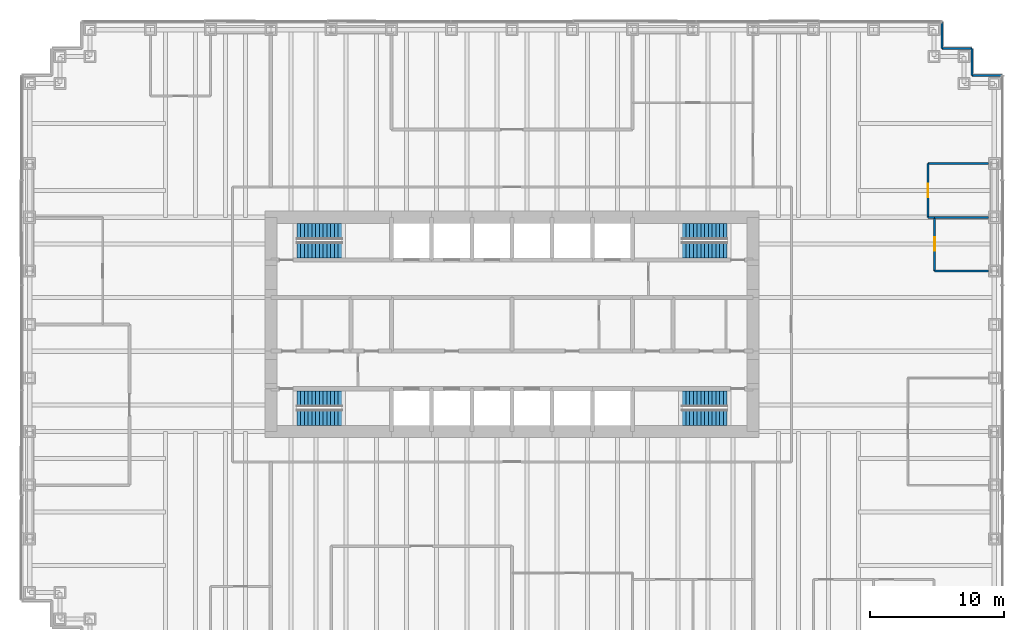
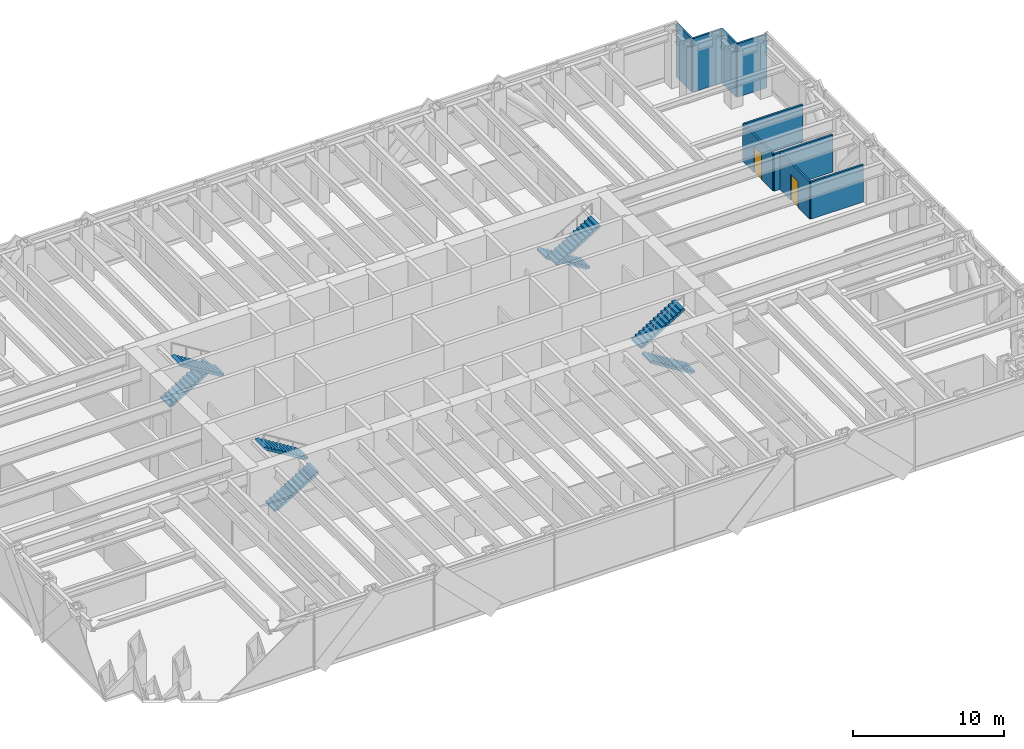
# One storey, part 12 of 13: 10 walls, 8 stair flights, 2 doors, 2 openings, 4 elements without a shape of their own.
"""IFC4 building model written with IfcOpenShell, lengths in metres."""

from ifc_helpers import new_model, si_unit, direction, frame, frame_2d, origin, place, context, subcontext, project, spatial, polyline, rectangle, outline, extrude, material, layer, layer_set, type_object, element, fill, aggregate, save


model = new_model("IFC4")

# Units and contexts
model_context = context("Model", 3, precision=1e-05, world=origin(), true_north=direction((0.0, 1.0)))
body_context = subcontext(model_context, "Body", "Model", "MODEL_VIEW")
ifc_project = project(units=[si_unit("LENGTHUNIT", "METRE"), si_unit("AREAUNIT", "SQUARE_METRE"), si_unit("VOLUMEUNIT", "CUBIC_METRE"), si_unit("PLANEANGLEUNIT", "RADIAN"), si_unit("MASSUNIT", "GRAM", prefix="KILO")], contexts=[model_context])

# Site, building, storey
site_placement = place(None, origin())
site = spatial("IfcSite", under=ifc_project, at=site_placement, CompositionType="ELEMENT")
building_placement = place(site_placement, origin())
building = spatial("IfcBuilding", under=site, at=building_placement, Name="Rheinbord Bourse Tower", CompositionType="ELEMENT")
storey_placement = place(building_placement, frame((0.0, 0.0, 72.5)))
storey = spatial("IfcBuildingStorey", under=building, at=storey_placement, Name="L15", CompositionType="ELEMENT", Elevation=72.5)

# Walls
ifc_material_1 = material(Name="Black metal rainscreen panel", Category="aluminium")
ifc_layer_1 = layer(ifc_material_1, 0.14990234375)
ifc_layer_set_1 = layer_set([ifc_layer_1], Name="CORNER PIER CLADDING 150")
wall_type_1 = type_object("IfcWallType", Name="CORNER PIER CLADDING 150", PredefinedType="ELEMENTEDWALL", material=ifc_layer_set_1)
wall_1_placement = place(storey_placement, frame((72.60009765625, 42.60009765625, 0.0), z_axis=(0.0, 0.0, 1.0), x_axis=(-1.0, 0.0, 0.0)))
element("IfcWall", 1, at=wall_1_placement, inside=storey, type_object=wall_type_1, Name="Corner pier cladding L15 7", PredefinedType="ELEMENTEDWALL", context=body_context, shape_type="SweptSolid", body=[
    extrude(rectangle(XDim=2.25, YDim=0.14990234375, at=frame_2d((1.125, 0.0))), origin(), (0.0, 0.0, 1.0), 4.320068359375),
])
wall_2_placement = place(storey_placement, frame((70.35009765625, 42.60009765625, 0.0), z_axis=(0.0, 0.0, 1.0), x_axis=(0.0, 1.0, 0.0)))
element("IfcWall", 2, at=wall_2_placement, inside=storey, type_object=wall_type_1, Name="Corner pier cladding L15 8", PredefinedType="ELEMENTEDWALL", context=body_context, shape_type="SweptSolid", body=[
    extrude(rectangle(XDim=2.0, YDim=0.14990234375, at=frame_2d((1.0, 0.0))), origin(), (0.0, 0.0, 1.0), 4.320068359375),
])
wall_3_placement = place(storey_placement, frame((70.35009765625, 44.60009765625, 0.0), z_axis=(0.0, 0.0, 1.0), x_axis=(-1.0, 0.0, 0.0)))
element("IfcWall", 3, at=wall_3_placement, inside=storey, type_object=wall_type_1, Name="Corner pier cladding L15 9", PredefinedType="ELEMENTEDWALL", context=body_context, shape_type="SweptSolid", body=[
    extrude(rectangle(XDim=2.25, YDim=0.14990234375, at=frame_2d((1.125, 0.0))), origin(), (0.0, 0.0, 1.0), 4.320068359375),
])
wall_4_placement = place(storey_placement, frame((68.10009765625, 44.60009765625, 0.0), z_axis=(0.0, 0.0, 1.0), x_axis=(0.0, 1.0, 0.0)))
element("IfcWall", 4, at=wall_4_placement, inside=storey, type_object=wall_type_1, Name="Corner pier cladding L15 10", PredefinedType="ELEMENTEDWALL", context=body_context, shape_type="SweptSolid", body=[
    extrude(rectangle(XDim=2.0, YDim=0.14990234375, at=frame_2d((1.0, 0.0))), origin(), (0.0, 0.0, 1.0), 4.320068359375),
])
ifc_material_2 = material(Name="Gypsum board fire partition", Category="gypsum board")
ifc_layer_2 = layer(ifc_material_2, 0.14990234375)
ifc_layer_set_2 = layer_set([ifc_layer_2], Name="FIRE PARTITION 150 EI60")
wall_type_2 = type_object("IfcWallType", Name="FIRE PARTITION 150 EI60", PredefinedType="PARTITIONING", material=ifc_layer_set_2)
for number, where, z_axis, x_axis, name in (
    (5, (67.550048828125, 28.0, 0.0), (0.0, 0.0, 1.0), (1.0, 0.0, 0.0), "Partition L15-12"),
    (6, (67.550048828125, 32.0, 0.0), (0.0, 0.0, 1.0), (1.0, 0.0, 0.0), "Partition L15-15"),
):
    element("IfcWall", number, at=place(storey_placement, frame(where, z_axis=z_axis, x_axis=x_axis)), inside=storey, type_object=wall_type_2, Name=name, PredefinedType="PARTITIONING", context=body_context, shape_type="SweptSolid", body=[
        extrude(rectangle(XDim=4.0, YDim=0.14990234375, at=frame_2d((2.0, 0.0))), origin(), (0.0, 0.0, 1.0), 3.0),
    ])

# Wall, opening, door
wall_5_placement = place(storey_placement, frame((67.550048828125, 28.0, 0.0), z_axis=(0.0, 0.0, 1.0), x_axis=(0.0, 1.0, 0.0)))
wall_5 = element("IfcWall", 7, at=wall_5_placement, inside=storey, type_object=wall_type_2, Name="Partition L15-44", PredefinedType="PARTITIONING", context=body_context, shape_type="SweptSolid", body=[
    extrude(rectangle(XDim=4.0, YDim=0.14990234375, at=frame_2d((2.0, 0.0))), origin(), (0.0, 0.0, 1.0), 3.0),
])
opening_1_placement = place(wall_5_placement, frame((1.5, 0.0, 0.0)))
opening_1 = element("IfcOpeningElement", 8, at=opening_1_placement, cuts=wall_5, Name="Opening 15D11", PredefinedType="OPENING", context=body_context, shape_type="SweptSolid", body=[
    extrude(rectangle(XDim=1.0, YDim=2.10009765625, at=frame_2d((0.5, 1.050048828125))), frame((0.0, 0.0849609375, 0.0), z_axis=(0.0, -1.0, 0.0), x_axis=(1.0, 0.0, 0.0)), (0.0, 0.0, 1.0), 0.169921875),
])
ifc_material_3 = material(Name="Timber fire door", Category="wood")
door_type_1 = type_object("IfcDoorType", Name="FIRE DOOR 1000 EI60", OperationType="SINGLE_SWING_LEFT", PredefinedType="DOOR", material=ifc_material_3)
door_1_placement = place(opening_1_placement, origin())
door_1 = element("IfcDoor", 9, at=door_1_placement, inside=storey, type_object=door_type_1, Name="Comms room door L15", OperationType="SINGLE_SWING_LEFT", OverallHeight=2.10009765625, OverallWidth=1.0, PredefinedType="DOOR", context=body_context, shape_type="SweptSolid", body=[
    extrude(rectangle(XDim=1.0, YDim=2.10009765625, at=frame_2d((0.5, 1.050048828125))), frame((0.0, 0.02490234375, 0.0), z_axis=(0.0, -1.0, 0.0), x_axis=(1.0, 0.0, 0.0)), (0.0, 0.0, 1.0), 0.050048828125),
])
fill(opening_1, door_1)

# Walls
ifc_material_4 = material(Name="Gypsum board partition", Category="gypsum board")
ifc_layer_3 = layer(ifc_material_4, 0.14990234375)
ifc_layer_set_3 = layer_set([ifc_layer_3], Name="PARTITION 150")
wall_type_3 = type_object("IfcWallType", Name="PARTITION 150", PredefinedType="PARTITIONING", material=ifc_layer_set_3)
wall_6_placement = place(storey_placement, frame((67.050048828125, 32.0, 0.0), z_axis=(0.0, 0.0, 1.0), x_axis=(1.0, 0.0, 0.0)))
element("IfcWall", 10, at=wall_6_placement, inside=storey, type_object=wall_type_3, Name="Partition L15-14", PredefinedType="PARTITIONING", context=body_context, shape_type="SweptSolid", body=[
    extrude(rectangle(XDim=0.5, YDim=0.14990234375, at=frame_2d((0.25, 0.0))), origin(), (0.0, 0.0, 1.0), 3.0),
])
wall_7_placement = place(storey_placement, frame((67.050048828125, 36.0, 0.0), z_axis=(0.0, 0.0, 1.0), x_axis=(1.0, 0.0, 0.0)))
element("IfcWall", 11, at=wall_7_placement, inside=storey, type_object=wall_type_3, Name="Partition L15-17", PredefinedType="PARTITIONING", context=body_context, shape_type="SweptSolid", body=[
    extrude(rectangle(XDim=4.5, YDim=0.14990234375, at=frame_2d((2.25, 0.0))), origin(), (0.0, 0.0, 1.0), 3.0),
])

# Wall, opening, door
wall_8_placement = place(storey_placement, frame((67.050048828125, 32.0, 0.0), z_axis=(0.0, 0.0, 1.0), x_axis=(0.0, 1.0, 0.0)))
wall_8 = element("IfcWall", 12, at=wall_8_placement, inside=storey, type_object=wall_type_3, Name="Partition L15-42", PredefinedType="PARTITIONING", context=body_context, shape_type="SweptSolid", body=[
    extrude(rectangle(XDim=4.0, YDim=0.14990234375, at=frame_2d((2.0, 0.0))), origin(), (0.0, 0.0, 1.0), 3.0),
])
opening_2_placement = place(wall_8_placement, frame((1.5, 0.0, 0.0)))
opening_2 = element("IfcOpeningElement", 13, at=opening_2_placement, cuts=wall_8, Name="Opening 15D12", PredefinedType="OPENING", context=body_context, shape_type="SweptSolid", body=[
    extrude(rectangle(XDim=1.0, YDim=2.10009765625, at=frame_2d((0.5, 1.050048828125))), frame((0.0, 0.0849609375, 0.0), z_axis=(0.0, -1.0, 0.0), x_axis=(1.0, 0.0, 0.0)), (0.0, 0.0, 1.0), 0.169921875),
])
ifc_material_5 = material(Name="Timber door", Category="wood")
door_type_2 = type_object("IfcDoorType", Name="ROOM DOOR 1000", OperationType="SINGLE_SWING_LEFT", PredefinedType="DOOR", material=ifc_material_5)
door_2_placement = place(opening_2_placement, origin())
door_2 = element("IfcDoor", 14, at=door_2_placement, inside=storey, type_object=door_type_2, Name="Pantry door L15", OperationType="SINGLE_SWING_LEFT", OverallHeight=2.10009765625, OverallWidth=1.0, PredefinedType="DOOR", context=body_context, shape_type="SweptSolid", body=[
    extrude(rectangle(XDim=1.0, YDim=2.10009765625, at=frame_2d((0.5, 1.050048828125))), frame((0.0, 0.02490234375, 0.0), z_axis=(0.0, -1.0, 0.0), x_axis=(1.0, 0.0, 0.0)), (0.0, 0.0, 1.0), 0.050048828125),
])
fill(opening_2, door_2)

# Stair, stair flights
ifc_material_6 = material(Name="Concrete C30/37", Category="concrete")
stair_type = type_object("IfcStairType", Name="CORE STAIR HALF TURN 4500", PredefinedType="HALF_TURN_STAIR", material=ifc_material_6)
stair_1_placement = place(storey_placement, origin())
stair_1 = element("IfcStair", 15, at=stair_1_placement, inside=storey, type_object=stair_type, Name="Stair ST1 L15, type CS4", PredefinedType="HALF_TURN_STAIR")
ifc_material_7 = material(Name="Concrete C30/37", Category="concrete")
stair_flight_type = type_object("IfcStairFlightType", Name="CORE STAIR FLIGHT 1200, 13 RISERS", PredefinedType="STRAIGHT", material=ifc_material_7)
stair_flight_1_placement = place(storey_placement, frame((19.949951171875, 17.050048828125, 0.0), z_axis=(0.0, 0.0, 1.0), x_axis=(1.0, 0.0, 0.0)))
stair_flight_1 = element("IfcStairFlight", 16, at=stair_flight_1_placement, type_object=stair_flight_type, Name="STAIR L15 ST1 F1", NumberOfRisers=13, NumberOfTreads=12, PredefinedType="STRAIGHT", RiserHeight=0.173076923, TreadLength=0.28, context=body_context, shape_type="SweptSolid", body=[
    extrude(outline(polyline([(0.0, 0.0), (0.0, 0.173095703125), (0.280029296875, 0.173095703125), (0.280029296875, 0.34619140625), (0.56005859375, 0.34619140625), (0.56005859375, 0.519287109375), (0.840087890625, 0.519287109375), (0.840087890625, 0.6923828125), (1.1201171875, 0.6923828125), (1.1201171875, 0.865478515625), (1.39990234375, 0.865478515625), (1.39990234375, 1.03857421875), (1.679931640625, 1.03857421875), (1.679931640625, 1.21142578125), (1.9599609375, 1.21142578125), (1.9599609375, 1.384521484375), (2.239990234375, 1.384521484375), (2.239990234375, 1.5576171875), (2.52001953125, 1.5576171875), (2.52001953125, 1.730712890625), (2.800048828125, 1.730712890625), (2.800048828125, 1.90380859375), (3.080078125, 1.90380859375), (3.080078125, 2.076904296875), (3.360107421875, 2.076904296875), (3.360107421875, 2.25), (3.360107421875, 1.900634765625), (0.28515625, 0.0), (0.0, 0.0)])), frame((0.0, 0.60009765625, 0.0), z_axis=(0.0, -1.0, 0.0), x_axis=(1.0, 0.0, 0.0)), (0.0, 0.0, 1.0), 1.199951171875),
])
stair_flight_2_placement = place(storey_placement, frame((23.31005859375, 18.449951171875, 2.25), z_axis=(0.0, 0.0, 1.0), x_axis=(-1.0, 0.0, 0.0)))
stair_flight_2 = element("IfcStairFlight", 17, at=stair_flight_2_placement, type_object=stair_flight_type, Name="STAIR L15 ST1 F2", NumberOfRisers=13, NumberOfTreads=12, PredefinedType="STRAIGHT", RiserHeight=0.173076923, TreadLength=0.28, context=body_context, shape_type="SweptSolid", body=[
    extrude(outline(polyline([(0.0, 0.0), (0.0, 0.173095703125), (0.280029296875, 0.173095703125), (0.280029296875, 0.34619140625), (0.56005859375, 0.34619140625), (0.56005859375, 0.519287109375), (0.840087890625, 0.519287109375), (0.840087890625, 0.6923828125), (1.1201171875, 0.6923828125), (1.1201171875, 0.865478515625), (1.39990234375, 0.865478515625), (1.39990234375, 1.03857421875), (1.679931640625, 1.03857421875), (1.679931640625, 1.21142578125), (1.9599609375, 1.21142578125), (1.9599609375, 1.384521484375), (2.239990234375, 1.384521484375), (2.239990234375, 1.5576171875), (2.52001953125, 1.5576171875), (2.52001953125, 1.730712890625), (2.800048828125, 1.730712890625), (2.800048828125, 1.90380859375), (3.080078125, 1.90380859375), (3.080078125, 2.076904296875), (3.360107421875, 2.076904296875), (3.360107421875, 2.25), (3.360107421875, 1.900634765625), (0.28515625, 0.0), (0.0, 0.0)])), frame((0.0, 0.60009765625, 0.0), z_axis=(0.0, -1.0, 0.0), x_axis=(1.0, 0.0, 0.0)), (0.0, 0.0, 1.0), 1.199951171875),
])
aggregate(stair_1, [stair_flight_1, stair_flight_2])

stair_2_placement = place(storey_placement, origin())
stair_2 = element("IfcStair", 18, at=stair_2_placement, inside=storey, type_object=stair_type, Name="Stair ST2 L15, type CS4", PredefinedType="HALF_TURN_STAIR")
stair_flight_3_placement = place(storey_placement, frame((19.949951171875, 30.949951171875, 0.0), z_axis=(0.0, 0.0, 1.0), x_axis=(1.0, 0.0, 0.0)))
stair_flight_3 = element("IfcStairFlight", 19, at=stair_flight_3_placement, type_object=stair_flight_type, Name="STAIR L15 ST2 F1", NumberOfRisers=13, NumberOfTreads=12, PredefinedType="STRAIGHT", RiserHeight=0.173076923, TreadLength=0.28, context=body_context, shape_type="SweptSolid", body=[
    extrude(outline(polyline([(0.0, 0.0), (0.0, 0.173095703125), (0.280029296875, 0.173095703125), (0.280029296875, 0.34619140625), (0.56005859375, 0.34619140625), (0.56005859375, 0.519287109375), (0.840087890625, 0.519287109375), (0.840087890625, 0.6923828125), (1.1201171875, 0.6923828125), (1.1201171875, 0.865478515625), (1.39990234375, 0.865478515625), (1.39990234375, 1.03857421875), (1.679931640625, 1.03857421875), (1.679931640625, 1.21142578125), (1.9599609375, 1.21142578125), (1.9599609375, 1.384521484375), (2.239990234375, 1.384521484375), (2.239990234375, 1.5576171875), (2.52001953125, 1.5576171875), (2.52001953125, 1.730712890625), (2.800048828125, 1.730712890625), (2.800048828125, 1.90380859375), (3.080078125, 1.90380859375), (3.080078125, 2.076904296875), (3.360107421875, 2.076904296875), (3.360107421875, 2.25), (3.360107421875, 1.900634765625), (0.28515625, 0.0), (0.0, 0.0)])), frame((0.0, 0.60009765625, 0.0), z_axis=(0.0, -1.0, 0.0), x_axis=(1.0, 0.0, 0.0)), (0.0, 0.0, 1.0), 1.199951171875),
])
stair_flight_4_placement = place(storey_placement, frame((23.31005859375, 29.550048828125, 2.25), z_axis=(0.0, 0.0, 1.0), x_axis=(-1.0, 0.0, 0.0)))
stair_flight_4 = element("IfcStairFlight", 20, at=stair_flight_4_placement, type_object=stair_flight_type, Name="STAIR L15 ST2 F2", NumberOfRisers=13, NumberOfTreads=12, PredefinedType="STRAIGHT", RiserHeight=0.173076923, TreadLength=0.28, context=body_context, shape_type="SweptSolid", body=[
    extrude(outline(polyline([(0.0, 0.0), (0.0, 0.173095703125), (0.280029296875, 0.173095703125), (0.280029296875, 0.34619140625), (0.56005859375, 0.34619140625), (0.56005859375, 0.519287109375), (0.840087890625, 0.519287109375), (0.840087890625, 0.6923828125), (1.1201171875, 0.6923828125), (1.1201171875, 0.865478515625), (1.39990234375, 0.865478515625), (1.39990234375, 1.03857421875), (1.679931640625, 1.03857421875), (1.679931640625, 1.21142578125), (1.9599609375, 1.21142578125), (1.9599609375, 1.384521484375), (2.239990234375, 1.384521484375), (2.239990234375, 1.5576171875), (2.52001953125, 1.5576171875), (2.52001953125, 1.730712890625), (2.800048828125, 1.730712890625), (2.800048828125, 1.90380859375), (3.080078125, 1.90380859375), (3.080078125, 2.076904296875), (3.360107421875, 2.076904296875), (3.360107421875, 2.25), (3.360107421875, 1.900634765625), (0.28515625, 0.0), (0.0, 0.0)])), frame((0.0, 0.60009765625, 0.0), z_axis=(0.0, -1.0, 0.0), x_axis=(1.0, 0.0, 0.0)), (0.0, 0.0, 1.0), 1.199951171875),
])
aggregate(stair_2, [stair_flight_3, stair_flight_4])

stair_3_placement = place(storey_placement, origin())
stair_3 = element("IfcStair", 21, at=stair_3_placement, inside=storey, type_object=stair_type, Name="Stair ST3 L15, type CS4", PredefinedType="HALF_TURN_STAIR")
stair_flight_5_placement = place(storey_placement, frame((52.050048828125, 17.050048828125, 0.0), z_axis=(0.0, 0.0, 1.0), x_axis=(-1.0, 0.0, 0.0)))
stair_flight_5 = element("IfcStairFlight", 22, at=stair_flight_5_placement, type_object=stair_flight_type, Name="STAIR L15 ST3 F1", NumberOfRisers=13, NumberOfTreads=12, PredefinedType="STRAIGHT", RiserHeight=0.173076923, TreadLength=0.28, context=body_context, shape_type="SweptSolid", body=[
    extrude(outline(polyline([(0.0, 0.0), (0.0, 0.173095703125), (0.280029296875, 0.173095703125), (0.280029296875, 0.34619140625), (0.56005859375, 0.34619140625), (0.56005859375, 0.519287109375), (0.840087890625, 0.519287109375), (0.840087890625, 0.6923828125), (1.1201171875, 0.6923828125), (1.1201171875, 0.865478515625), (1.39990234375, 0.865478515625), (1.39990234375, 1.03857421875), (1.679931640625, 1.03857421875), (1.679931640625, 1.21142578125), (1.9599609375, 1.21142578125), (1.9599609375, 1.384521484375), (2.239990234375, 1.384521484375), (2.239990234375, 1.5576171875), (2.52001953125, 1.5576171875), (2.52001953125, 1.730712890625), (2.800048828125, 1.730712890625), (2.800048828125, 1.90380859375), (3.080078125, 1.90380859375), (3.080078125, 2.076904296875), (3.360107421875, 2.076904296875), (3.360107421875, 2.25), (3.360107421875, 1.900634765625), (0.28515625, 0.0), (0.0, 0.0)])), frame((0.0, 0.60009765625, 0.0), z_axis=(0.0, -1.0, 0.0), x_axis=(1.0, 0.0, 0.0)), (0.0, 0.0, 1.0), 1.199951171875),
])
stair_flight_6_placement = place(storey_placement, frame((48.68994140625, 18.449951171875, 2.25), z_axis=(0.0, 0.0, 1.0), x_axis=(1.0, 0.0, 0.0)))
stair_flight_6 = element("IfcStairFlight", 23, at=stair_flight_6_placement, type_object=stair_flight_type, Name="STAIR L15 ST3 F2", NumberOfRisers=13, NumberOfTreads=12, PredefinedType="STRAIGHT", RiserHeight=0.173076923, TreadLength=0.28, context=body_context, shape_type="SweptSolid", body=[
    extrude(outline(polyline([(0.0, 0.0), (0.0, 0.173095703125), (0.280029296875, 0.173095703125), (0.280029296875, 0.34619140625), (0.56005859375, 0.34619140625), (0.56005859375, 0.519287109375), (0.840087890625, 0.519287109375), (0.840087890625, 0.6923828125), (1.1201171875, 0.6923828125), (1.1201171875, 0.865478515625), (1.39990234375, 0.865478515625), (1.39990234375, 1.03857421875), (1.679931640625, 1.03857421875), (1.679931640625, 1.21142578125), (1.9599609375, 1.21142578125), (1.9599609375, 1.384521484375), (2.239990234375, 1.384521484375), (2.239990234375, 1.5576171875), (2.52001953125, 1.5576171875), (2.52001953125, 1.730712890625), (2.800048828125, 1.730712890625), (2.800048828125, 1.90380859375), (3.080078125, 1.90380859375), (3.080078125, 2.076904296875), (3.360107421875, 2.076904296875), (3.360107421875, 2.25), (3.360107421875, 1.900634765625), (0.28515625, 0.0), (0.0, 0.0)])), frame((0.0, 0.60009765625, 0.0), z_axis=(0.0, -1.0, 0.0), x_axis=(1.0, 0.0, 0.0)), (0.0, 0.0, 1.0), 1.199951171875),
])
aggregate(stair_3, [stair_flight_5, stair_flight_6])

stair_4_placement = place(storey_placement, origin())
stair_4 = element("IfcStair", 24, at=stair_4_placement, inside=storey, type_object=stair_type, Name="Stair ST4 L15, type CS4", PredefinedType="HALF_TURN_STAIR")
stair_flight_7_placement = place(storey_placement, frame((52.050048828125, 30.949951171875, 0.0), z_axis=(0.0, 0.0, 1.0), x_axis=(-1.0, 0.0, 0.0)))
stair_flight_7 = element("IfcStairFlight", 25, at=stair_flight_7_placement, type_object=stair_flight_type, Name="STAIR L15 ST4 F1", NumberOfRisers=13, NumberOfTreads=12, PredefinedType="STRAIGHT", RiserHeight=0.173076923, TreadLength=0.28, context=body_context, shape_type="SweptSolid", body=[
    extrude(outline(polyline([(0.0, 0.0), (0.0, 0.173095703125), (0.280029296875, 0.173095703125), (0.280029296875, 0.34619140625), (0.56005859375, 0.34619140625), (0.56005859375, 0.519287109375), (0.840087890625, 0.519287109375), (0.840087890625, 0.6923828125), (1.1201171875, 0.6923828125), (1.1201171875, 0.865478515625), (1.39990234375, 0.865478515625), (1.39990234375, 1.03857421875), (1.679931640625, 1.03857421875), (1.679931640625, 1.21142578125), (1.9599609375, 1.21142578125), (1.9599609375, 1.384521484375), (2.239990234375, 1.384521484375), (2.239990234375, 1.5576171875), (2.52001953125, 1.5576171875), (2.52001953125, 1.730712890625), (2.800048828125, 1.730712890625), (2.800048828125, 1.90380859375), (3.080078125, 1.90380859375), (3.080078125, 2.076904296875), (3.360107421875, 2.076904296875), (3.360107421875, 2.25), (3.360107421875, 1.900634765625), (0.28515625, 0.0), (0.0, 0.0)])), frame((0.0, 0.60009765625, 0.0), z_axis=(0.0, -1.0, 0.0), x_axis=(1.0, 0.0, 0.0)), (0.0, 0.0, 1.0), 1.199951171875),
])
stair_flight_8_placement = place(storey_placement, frame((48.68994140625, 29.550048828125, 2.25), z_axis=(0.0, 0.0, 1.0), x_axis=(1.0, 0.0, 0.0)))
stair_flight_8 = element("IfcStairFlight", 26, at=stair_flight_8_placement, type_object=stair_flight_type, Name="STAIR L15 ST4 F2", NumberOfRisers=13, NumberOfTreads=12, PredefinedType="STRAIGHT", RiserHeight=0.173076923, TreadLength=0.28, context=body_context, shape_type="SweptSolid", body=[
    extrude(outline(polyline([(0.0, 0.0), (0.0, 0.173095703125), (0.280029296875, 0.173095703125), (0.280029296875, 0.34619140625), (0.56005859375, 0.34619140625), (0.56005859375, 0.519287109375), (0.840087890625, 0.519287109375), (0.840087890625, 0.6923828125), (1.1201171875, 0.6923828125), (1.1201171875, 0.865478515625), (1.39990234375, 0.865478515625), (1.39990234375, 1.03857421875), (1.679931640625, 1.03857421875), (1.679931640625, 1.21142578125), (1.9599609375, 1.21142578125), (1.9599609375, 1.384521484375), (2.239990234375, 1.384521484375), (2.239990234375, 1.5576171875), (2.52001953125, 1.5576171875), (2.52001953125, 1.730712890625), (2.800048828125, 1.730712890625), (2.800048828125, 1.90380859375), (3.080078125, 1.90380859375), (3.080078125, 2.076904296875), (3.360107421875, 2.076904296875), (3.360107421875, 2.25), (3.360107421875, 1.900634765625), (0.28515625, 0.0), (0.0, 0.0)])), frame((0.0, 0.60009765625, 0.0), z_axis=(0.0, -1.0, 0.0), x_axis=(1.0, 0.0, 0.0)), (0.0, 0.0, 1.0), 1.199951171875),
])
aggregate(stair_4, [stair_flight_7, stair_flight_8])

save(model, "model.ifc")
